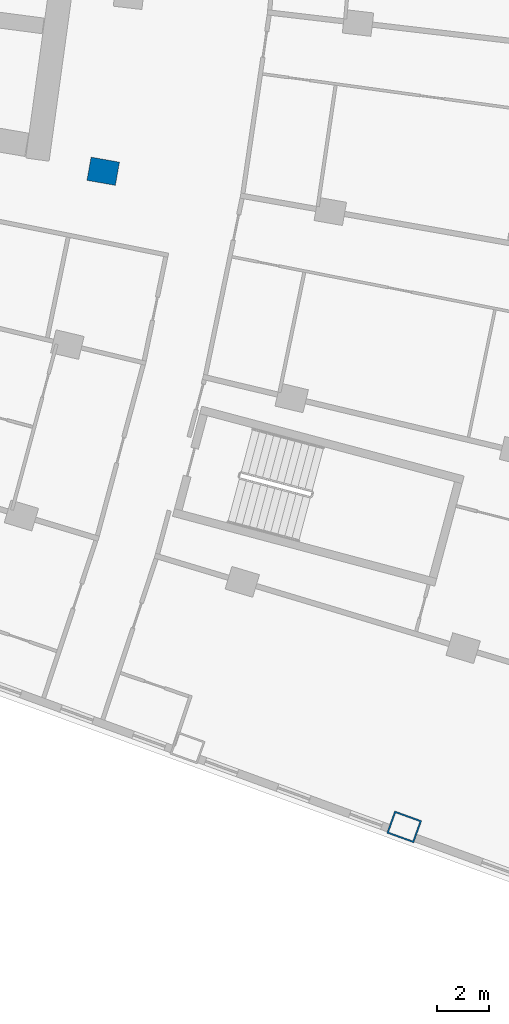
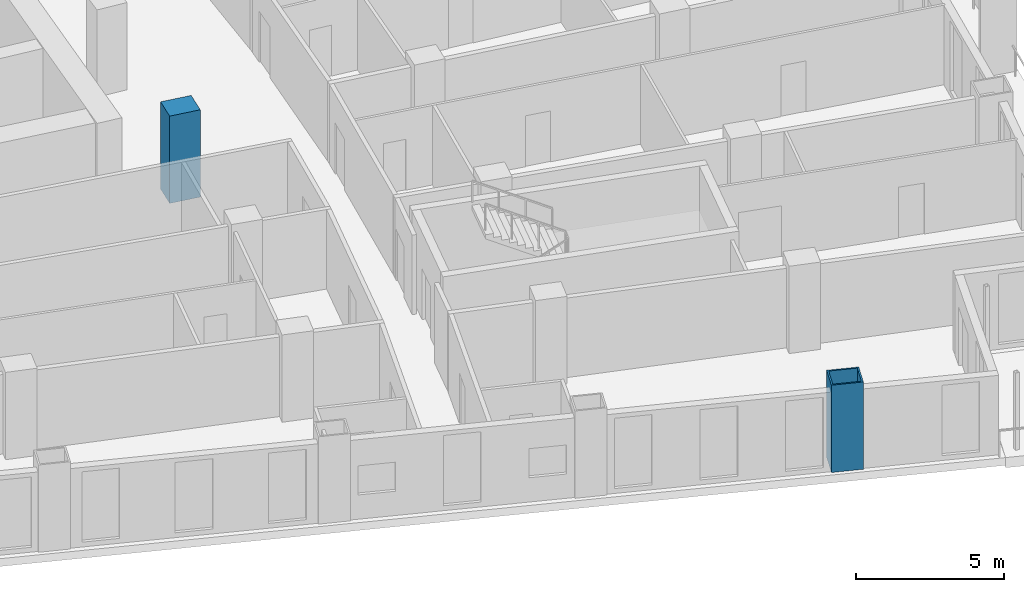
# One storey, part 3 of 23: 2 columns.
"""IFC4 building model written with IfcOpenShell, lengths in metres."""

from ifc_helpers import new_model, si_unit, direction, frame, origin, origin_2d, place, context, subcontext, project, spatial, rectangle, hollow_rectangle, extrude, material, material_profile, profile_set, type_object, element, save


model = new_model("IFC4")

# Units and contexts
model_context = context("Model", 3, precision=1e-05, world=origin(), true_north=direction((0.0, 1.0)))
body_context = subcontext(model_context, "Body", "Model", "MODEL_VIEW")
ifc_project = project(units=[si_unit("LENGTHUNIT", "METRE"), si_unit("AREAUNIT", "SQUARE_METRE"), si_unit("VOLUMEUNIT", "CUBIC_METRE"), si_unit("PLANEANGLEUNIT", "RADIAN"), si_unit("MASSUNIT", "GRAM", prefix="KILO")], contexts=[model_context])

# Site, building, storey
site_placement = place(None, origin())
site = spatial("IfcSite", under=ifc_project, at=site_placement, CompositionType="ELEMENT")
building_placement = place(site_placement, origin())
building = spatial("IfcBuilding", under=site, at=building_placement, Name="Alderwake Tower", CompositionType="ELEMENT")
storey_placement = place(building_placement, frame((0.0, 0.0, 71.60009765625)))
storey = spatial("IfcBuildingStorey", under=building, at=storey_placement, Name="L17", CompositionType="ELEMENT", Elevation=71.60009765625)

# Columns
ifc_material_1 = material(Name="Steel ASTM A572 Grade 50 concrete filled C70/85", Category="concrete")
ifc_material_profile_1 = material_profile(ifc_material_1, hollow_rectangle(XDim=0.89990234375, YDim=1.10009765625, WallThickness=0.06005859375, at=origin_2d()), Name="BOX 1100X900X60")
ifc_profile_set_1 = profile_set([ifc_material_profile_1], Name="Steel ASTM A572 Grade 50 concrete filled C70/85")
column_type_1 = type_object("IfcColumnType", Name="End column Z1", PredefinedType="COLUMN", material=ifc_profile_set_1)
column_1_placement = place(storey_placement, frame((45.516845703125, 15.821533203125, 0.0), z_axis=(0.0, 0.0, 1.0), x_axis=(0.338668949173, 0.940905597213, 0.0)))
element("IfcColumn", 1, at=column_1_placement, inside=storey, type_object=column_type_1, Name="Column R01-C4", PredefinedType="COLUMN", context=body_context, shape_type="SweptSolid", body=[
    extrude(hollow_rectangle(XDim=0.89990234375, YDim=1.10009765625, WallThickness=0.06005859375, at=origin_2d()), origin(), (0.0, 0.0, 1.0), 3.599853515625),
])
ifc_material_2 = material(Name="Concrete C70/85", Category="concrete")
ifc_material_profile_2 = material_profile(ifc_material_2, rectangle(XDim=0.89990234375, YDim=1.10009765625, at=origin_2d()), Name="RC 1100X900")
ifc_profile_set_2 = profile_set([ifc_material_profile_2], Name="Concrete C70/85")
column_type_2 = type_object("IfcColumnType", Name="Interior column Z1", PredefinedType="COLUMN", material=ifc_profile_set_2)
column_2_placement = place(storey_placement, frame((34.03125, 40.83837890625, 0.0), z_axis=(0.0, 0.0, 1.0), x_axis=(0.174108800747, 0.984726421654, 0.0)))
element("IfcColumn", 2, at=column_2_placement, inside=storey, type_object=column_type_2, Name="Column R04-C2", PredefinedType="COLUMN", context=body_context, shape_type="SweptSolid", body=[
    extrude(rectangle(XDim=0.89990234375, YDim=1.10009765625, at=origin_2d()), origin(), (0.0, 0.0, 1.0), 3.599853515625),
])

save(model, "model.ifc")
